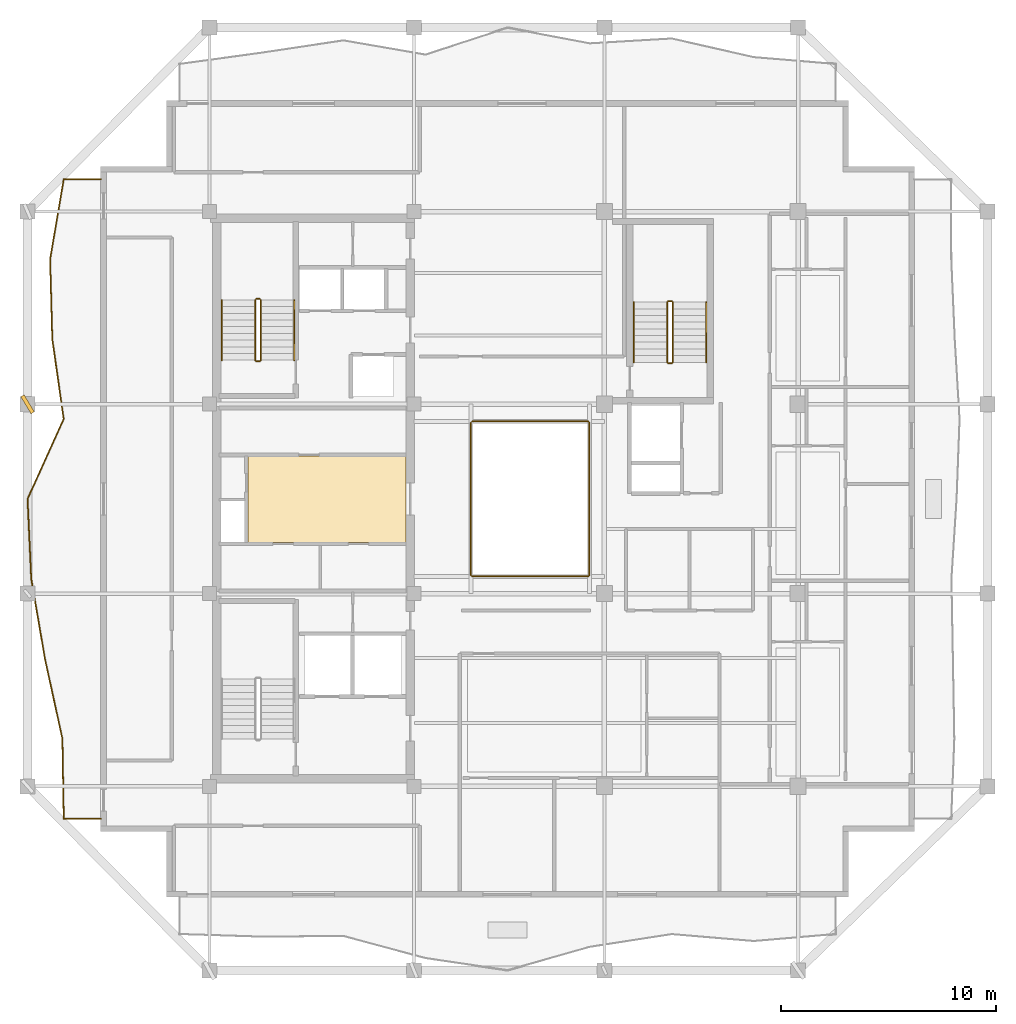
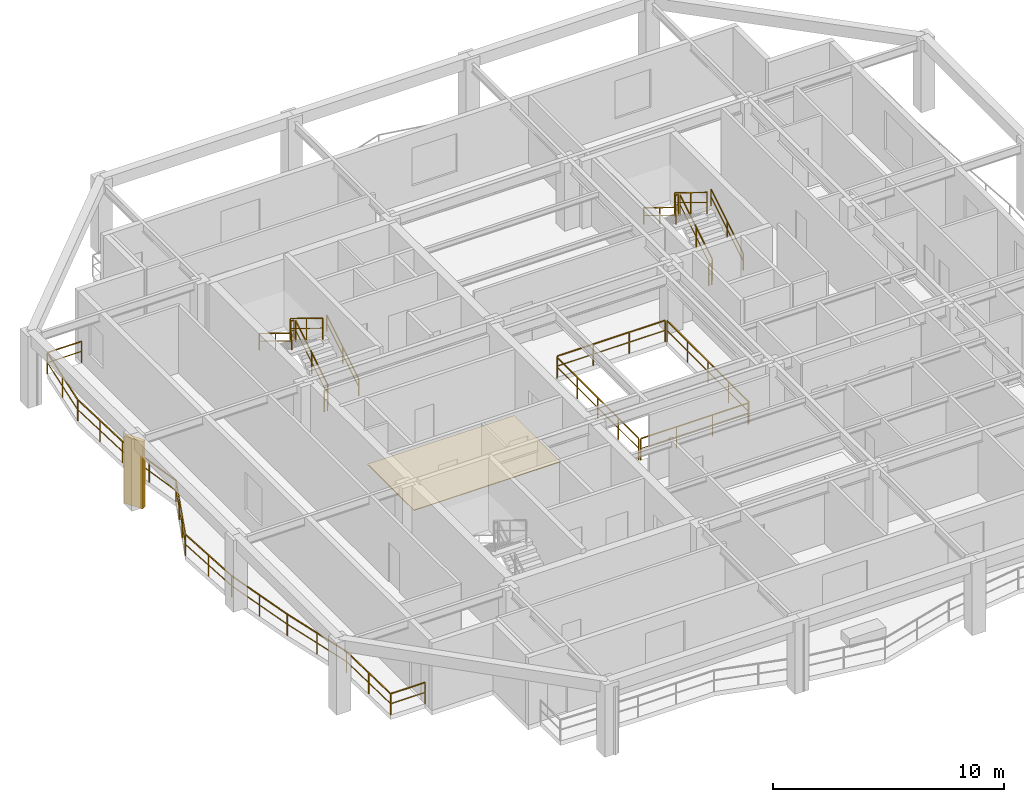
# One storey, part 8 of 10: 17 railings, 1 covering, 1 shading device.
"""IFC4 building model written with IfcOpenShell, lengths in metres."""

from ifc_helpers import new_model, si_unit, direction, frame, origin, origin_2d, place, context, subcontext, project, spatial, polyline, rectangle, outline, extrude, material, layer, layer_set, type_object, element, save


model = new_model("IFC4")

# Units and contexts
model_context = context("Model", 3, precision=1e-05, world=origin(), true_north=direction((0.0, 1.0)))
body_context = subcontext(model_context, "Body", "Model", "MODEL_VIEW")
ifc_project = project(units=[si_unit("LENGTHUNIT", "METRE"), si_unit("AREAUNIT", "SQUARE_METRE"), si_unit("VOLUMEUNIT", "CUBIC_METRE"), si_unit("PLANEANGLEUNIT", "RADIAN"), si_unit("MASSUNIT", "GRAM", prefix="KILO")], contexts=[model_context])

# Site, building, storey
site_placement = place(None, origin())
site = spatial("IfcSite", under=ifc_project, at=site_placement, CompositionType="ELEMENT")
building_placement = place(site_placement, origin())
building = spatial("IfcBuilding", under=site, at=building_placement, Name="Kundavana Baori Tower", CompositionType="ELEMENT")
storey_placement = place(building_placement, frame((0.0, 0.0, 320.10009765625)))
storey = spatial("IfcBuildingStorey", under=building, at=storey_placement, Name="L79", CompositionType="ELEMENT", Elevation=320.10009765625)

# Covering
ifc_material_1 = material(Name="Honed Kota Stone and Terrazzo Flooring", Category="masonry")
ifc_layer = layer(ifc_material_1, 0.0400390625, Name="COV-FLR-TERR-40")
ifc_layer_set = layer_set([ifc_layer], Name="Honed Kota Stone and Terrazzo Flooring")
covering_type = type_object("IfcCoveringType", Name="COV-FLR-TERR-40", PredefinedType="FLOORING", material=ifc_layer_set)
covering_placement = place(storey_placement, origin())
element("IfcCovering", 1, at=covering_placement, inside=storey, type_object=covering_type, Name="L79 Core Lift Lobby Kota Stone Flooring", PredefinedType="FLOORING", context=body_context, shape_type="SweptSolid", body=[
    extrude(outline(polyline([(17.25, 26.580078125), (24.580078125, 26.580078125), (24.580078125, 30.60009765625), (17.25, 30.60009765625), (17.25, 26.580078125)])), origin(), (0.0, 0.0, 1.0), 0.039794921875),
])

# Railings
ifc_material_2 = material(Name="Architectural Patinated Bronze Metalwork")
railing_type_1 = type_object("IfcRailingType", Name="RL-BAL-1150", PredefinedType="BALUSTRADE", material=ifc_material_2)
railing_1_placement = place(storey_placement, frame((10.39990234375, 13.75, 0.0)))
element("IfcRailing", 2, at=railing_1_placement, inside=storey, type_object=railing_type_1, Name="L79 Loggia Balcony Balustrade W", PredefinedType="BALUSTRADE", context=body_context, shape_type="SweptSolid", body=[
    extrude(rectangle(XDim=0.048095703125, YDim=0.048095703125, at=origin_2d()), frame((0.0, 0.0, 1.1259765625), z_axis=(-1.0, 0.0, 0.0), x_axis=(0.0, -1.0, 0.0)), (0.0, 0.0, 1.0), 1.719970703125),
    extrude(rectangle(XDim=0.03125, YDim=0.03125, at=origin_2d()), frame((0.0, 0.0, 0.597900390625), z_axis=(-1.0, 0.0, 0.0), x_axis=(0.0, -1.0, 0.0)), (0.0, 0.0, 1.0), 1.719970703125),
    extrude(rectangle(XDim=0.048095703125, YDim=0.048095703125, at=origin_2d()), frame((-1.719970703125, 0.0, 1.1259765625), z_axis=(-0.016966775974, 0.999856053896, 0.0), x_axis=(-0.999856053896, -0.016966775974, 0.0)), (0.0, 0.0, 1.0), 3.71240234375),
    extrude(rectangle(XDim=0.03125, YDim=0.03125, at=origin_2d()), frame((-1.719970703125, 0.0, 0.597900390625), z_axis=(-0.016966775974, 0.999856053896, 0.0), x_axis=(-0.999856053896, -0.016966775974, 0.0)), (0.0, 0.0, 1.0), 3.71240234375),
    extrude(rectangle(XDim=0.048095703125, YDim=0.048095703125, at=origin_2d()), frame((-1.782958984375, 3.7119140625, 1.1259765625), z_axis=(-0.21314700663, 0.977020139795, 0.0), x_axis=(-0.977020139795, -0.21314700663, 0.0)), (0.0, 0.0, 1.0), 3.800537109375),
    extrude(rectangle(XDim=0.03125, YDim=0.03125, at=origin_2d()), frame((-1.782958984375, 3.7119140625, 0.597900390625), z_axis=(-0.21314700663, 0.977020139795, 0.0), x_axis=(-0.977020139795, -0.21314700663, 0.0)), (0.0, 0.0, 1.0), 3.800537109375),
    extrude(rectangle(XDim=0.048095703125, YDim=0.048095703125, at=origin_2d()), frame((-2.593017578125, 7.425048828125, 1.1259765625), z_axis=(-0.168517652123, 0.985698635955, 0.0), x_axis=(-0.985698635955, -0.168517652123, 0.0)), (0.0, 0.0, 1.0), 3.766845703125),
    extrude(rectangle(XDim=0.03125, YDim=0.03125, at=origin_2d()), frame((-2.593017578125, 7.425048828125, 0.597900390625), z_axis=(-0.168517652123, 0.985698635955, 0.0), x_axis=(-0.985698635955, -0.168517652123, 0.0)), (0.0, 0.0, 1.0), 3.766845703125),
    extrude(rectangle(XDim=0.048095703125, YDim=0.048095703125, at=origin_2d()), frame((-3.227783203125, 11.137939453125, 1.1259765625), z_axis=(-0.046316567078, 0.998926811941, 0.0), x_axis=(-0.998926811941, -0.046316567078, 0.0)), (0.0, 0.0, 1.0), 3.716064453125),
    extrude(rectangle(XDim=0.03125, YDim=0.03125, at=origin_2d()), frame((-3.227783203125, 11.137939453125, 0.597900390625), z_axis=(-0.046316567078, 0.998926811941, 0.0), x_axis=(-0.998926811941, -0.046316567078, 0.0)), (0.0, 0.0, 1.0), 3.716064453125),
    extrude(rectangle(XDim=0.048095703125, YDim=0.048095703125, at=origin_2d()), frame((-3.39990234375, 14.85009765625, 1.1259765625), z_axis=(0.412118122763, 0.911130425839, 0.0), x_axis=(-0.911130425839, 0.412118122763, 0.0)), (0.0, 0.0, 1.0), 4.073974609375),
    extrude(rectangle(XDim=0.03125, YDim=0.03125, at=origin_2d()), frame((-3.39990234375, 14.85009765625, 0.597900390625), z_axis=(0.412118122763, 0.911130425839, 0.0), x_axis=(-0.911130425839, 0.412118122763, 0.0)), (0.0, 0.0, 1.0), 4.073974609375),
    extrude(rectangle(XDim=0.048095703125, YDim=0.048095703125, at=origin_2d()), frame((-1.720947265625, 18.56201171875, 1.1259765625), z_axis=(-0.141576274751, 0.989927350076, 0.0), x_axis=(-0.989927350076, -0.141576274751, 0.0)), (0.0, 0.0, 1.0), 3.750732421875),
    extrude(rectangle(XDim=0.03125, YDim=0.03125, at=origin_2d()), frame((-1.720947265625, 18.56201171875, 0.597900390625), z_axis=(-0.141576274751, 0.989927350076, 0.0), x_axis=(-0.989927350076, -0.141576274751, 0.0)), (0.0, 0.0, 1.0), 3.750732421875),
    extrude(rectangle(XDim=0.048095703125, YDim=0.048095703125, at=origin_2d()), frame((-2.251953125, 22.27490234375, 1.1259765625), z_axis=(-0.027144967624, 0.999631507473, 0.0), x_axis=(-0.999631507473, -0.027144967624, 0.0)), (0.0, 0.0, 1.0), 3.714599609375),
    extrude(rectangle(XDim=0.03125, YDim=0.03125, at=origin_2d()), frame((-2.251953125, 22.27490234375, 0.597900390625), z_axis=(-0.027144967624, 0.999631507473, 0.0), x_axis=(-0.999631507473, -0.027144967624, 0.0)), (0.0, 0.0, 1.0), 3.714599609375),
    extrude(rectangle(XDim=0.048095703125, YDim=0.048095703125, at=origin_2d()), frame((-2.352783203125, 25.988037109375, 1.1259765625), z_axis=(0.168056749482, 0.985777322195, 0.0), x_axis=(-0.985777322195, 0.168056749482, 0.0)), (0.0, 0.0, 1.0), 3.765380859375),
    extrude(rectangle(XDim=0.03125, YDim=0.03125, at=origin_2d()), frame((-2.352783203125, 25.988037109375, 0.597900390625), z_axis=(0.168056749482, 0.985777322195, 0.0), x_axis=(-0.985777322195, 0.168056749482, 0.0)), (0.0, 0.0, 1.0), 3.765380859375),
    extrude(rectangle(XDim=0.048095703125, YDim=0.048095703125, at=origin_2d()), frame((-1.719970703125, 29.699951171875, 1.1259765625), z_axis=(1.0, 0.0, 0.0), x_axis=(0.0, 1.0, 0.0)), (0.0, 0.0, 1.0), 1.719970703125),
    extrude(rectangle(XDim=0.03125, YDim=0.03125, at=origin_2d()), frame((-1.719970703125, 29.699951171875, 0.597900390625), z_axis=(1.0, 0.0, 0.0), x_axis=(0.0, 1.0, 0.0)), (0.0, 0.0, 1.0), 1.719970703125),
    extrude(rectangle(XDim=0.0419921875, YDim=0.0419921875, at=origin_2d()), origin(), (0.0, 0.0, 1.0), 1.101806640625),
    extrude(rectangle(XDim=0.0419921875, YDim=0.0419921875, at=origin_2d()), frame((-1.719970703125, 0.0, 0.0)), (0.0, 0.0, 1.0), 1.101806640625),
    extrude(rectangle(XDim=0.0419921875, YDim=0.0419921875, at=origin_2d()), frame((-1.75146484375, 1.85595703125, 0.0)), (0.0, 0.0, 1.0), 1.101806640625),
    extrude(rectangle(XDim=0.0419921875, YDim=0.0419921875, at=origin_2d()), frame((-1.782958984375, 3.7119140625, 0.0)), (0.0, 0.0, 1.0), 1.101806640625),
    extrude(rectangle(XDim=0.0419921875, YDim=0.0419921875, at=origin_2d()), frame((-2.18798828125, 5.568359375, 0.0)), (0.0, 0.0, 1.0), 1.101806640625),
    extrude(rectangle(XDim=0.0419921875, YDim=0.0419921875, at=origin_2d()), frame((-2.593017578125, 7.425048828125, 0.0)), (0.0, 0.0, 1.0), 1.101806640625),
    extrude(rectangle(XDim=0.0419921875, YDim=0.0419921875, at=origin_2d()), frame((-2.910400390625, 9.281494140625, 0.0)), (0.0, 0.0, 1.0), 1.101806640625),
    extrude(rectangle(XDim=0.0419921875, YDim=0.0419921875, at=origin_2d()), frame((-3.227783203125, 11.137939453125, 0.0)), (0.0, 0.0, 1.0), 1.101806640625),
    extrude(rectangle(XDim=0.0419921875, YDim=0.0419921875, at=origin_2d()), frame((-3.31396484375, 12.994140625, 0.0)), (0.0, 0.0, 1.0), 1.101806640625),
    extrude(rectangle(XDim=0.0419921875, YDim=0.0419921875, at=origin_2d()), frame((-3.39990234375, 14.85009765625, 0.0)), (0.0, 0.0, 1.0), 1.101806640625),
    extrude(rectangle(XDim=0.0419921875, YDim=0.0419921875, at=origin_2d()), frame((-2.84033203125, 16.08740234375, 0.0)), (0.0, 0.0, 1.0), 1.101806640625),
    extrude(rectangle(XDim=0.0419921875, YDim=0.0419921875, at=origin_2d()), frame((-2.280517578125, 17.32470703125, 0.0)), (0.0, 0.0, 1.0), 1.101806640625),
    extrude(rectangle(XDim=0.0419921875, YDim=0.0419921875, at=origin_2d()), frame((-1.720947265625, 18.56201171875, 0.0)), (0.0, 0.0, 1.0), 1.101806640625),
    extrude(rectangle(XDim=0.0419921875, YDim=0.0419921875, at=origin_2d()), frame((-1.986328125, 20.41845703125, 0.0)), (0.0, 0.0, 1.0), 1.101806640625),
    extrude(rectangle(XDim=0.0419921875, YDim=0.0419921875, at=origin_2d()), frame((-2.251953125, 22.27490234375, 0.0)), (0.0, 0.0, 1.0), 1.101806640625),
    extrude(rectangle(XDim=0.0419921875, YDim=0.0419921875, at=origin_2d()), frame((-2.30224609375, 24.13134765625, 0.0)), (0.0, 0.0, 1.0), 1.101806640625),
    extrude(rectangle(XDim=0.0419921875, YDim=0.0419921875, at=origin_2d()), frame((-2.352783203125, 25.988037109375, 0.0)), (0.0, 0.0, 1.0), 1.101806640625),
    extrude(rectangle(XDim=0.0419921875, YDim=0.0419921875, at=origin_2d()), frame((-2.036376953125, 27.843994140625, 0.0)), (0.0, 0.0, 1.0), 1.101806640625),
    extrude(rectangle(XDim=0.0419921875, YDim=0.0419921875, at=origin_2d()), frame((-1.719970703125, 29.699951171875, 0.0)), (0.0, 0.0, 1.0), 1.101806640625),
    extrude(rectangle(XDim=0.0419921875, YDim=0.0419921875, at=origin_2d()), frame((0.0, 29.699951171875, 0.0)), (0.0, 0.0, 1.0), 1.101806640625),
])
ifc_material_3 = material(Name="Architectural Patinated Bronze Metalwork")
railing_type_2 = type_object("IfcRailingType", Name="RL-GRD-1150", PredefinedType="GUARDRAIL", material=ifc_material_3)
railing_2_placement = place(storey_placement, frame((17.840087890625, 35.050048828125, 0.18994140625)))
element("IfcRailing", 3, at=railing_2_placement, inside=storey, type_object=railing_type_2, Name="L79 ST2 stair guard 1", PredefinedType="GUARDRAIL", context=body_context, shape_type="SweptSolid", body=[
    extrude(rectangle(XDim=0.048095703125, YDim=0.048095703125, at=origin_2d()), frame((0.0, 0.0, 1.1259765625), z_axis=(0.0, 0.852609830418, 0.522548061975), x_axis=(-1.0, 0.0, 0.0)), (0.0, 0.0, 1.0), 3.2724609375),
    extrude(rectangle(XDim=0.03125, YDim=0.03125, at=origin_2d()), frame((0.0, 0.0, 0.597900390625), z_axis=(0.0, 0.852609830418, 0.522548061975), x_axis=(-1.0, 0.0, 0.0)), (0.0, 0.0, 1.0), 3.2724609375),
    extrude(rectangle(XDim=0.0419921875, YDim=0.0419921875, at=origin_2d()), origin(), (0.0, 0.0, 1.0), 1.101806640625),
    extrude(rectangle(XDim=0.0419921875, YDim=0.0419921875, at=origin_2d()), frame((0.0, 1.39501953125, 0.85498046875)), (0.0, 0.0, 1.0), 1.101806640625),
    extrude(rectangle(XDim=0.0419921875, YDim=0.0419921875, at=origin_2d()), frame((0.0, 2.7900390625, 1.7099609375)), (0.0, 0.0, 1.0), 1.101806640625),
])
railing_3_placement = place(storey_placement, frame((17.7900390625, 37.889892578125, 1.89990234375)))
element("IfcRailing", 4, at=railing_3_placement, inside=storey, type_object=railing_type_2, Name="L79 ST2 stair guard 2", PredefinedType="GUARDRAIL", context=body_context, shape_type="SweptSolid", body=[
    extrude(rectangle(XDim=0.048095703125, YDim=0.048095703125, at=origin_2d()), frame((0.0, 0.0, 1.1259765625), z_axis=(-1.0, 0.0, 0.0), x_axis=(0.0, -1.0, 0.0)), (0.0, 0.0, 1.0), 0.16015625),
    extrude(rectangle(XDim=0.03125, YDim=0.03125, at=origin_2d()), frame((0.0, 0.0, 0.597900390625), z_axis=(-1.0, 0.0, 0.0), x_axis=(0.0, -1.0, 0.0)), (0.0, 0.0, 1.0), 0.16015625),
    extrude(rectangle(XDim=0.0419921875, YDim=0.0419921875, at=origin_2d()), origin(), (0.0, 0.0, 1.0), 1.101806640625),
    extrude(rectangle(XDim=0.0419921875, YDim=0.0419921875, at=origin_2d()), frame((-0.16015625, 0.0, 0.0)), (0.0, 0.0, 1.0), 1.101806640625),
])
railing_4_placement = place(storey_placement, frame((17.580078125, 37.840087890625, 2.08984375)))
element("IfcRailing", 5, at=railing_4_placement, inside=storey, type_object=railing_type_2, Name="L79 ST2 stair guard 3", PredefinedType="GUARDRAIL", context=body_context, shape_type="SweptSolid", body=[
    extrude(rectangle(XDim=0.048095703125, YDim=0.048095703125, at=origin_2d()), frame((0.0, 0.0, 1.1259765625), z_axis=(0.0, -0.852609830418, 0.522548061975), x_axis=(1.0, 0.0, 0.0)), (0.0, 0.0, 1.0), 3.2724609375),
    extrude(rectangle(XDim=0.03125, YDim=0.03125, at=origin_2d()), frame((0.0, 0.0, 0.597900390625), z_axis=(0.0, -0.852609830418, 0.522548061975), x_axis=(1.0, 0.0, 0.0)), (0.0, 0.0, 1.0), 3.2724609375),
    extrude(rectangle(XDim=0.0419921875, YDim=0.0419921875, at=origin_2d()), origin(), (0.0, 0.0, 1.0), 1.101806640625),
    extrude(rectangle(XDim=0.0419921875, YDim=0.0419921875, at=origin_2d()), frame((0.0, -1.39501953125, 0.85498046875)), (0.0, 0.0, 1.0), 1.101806640625),
    extrude(rectangle(XDim=0.0419921875, YDim=0.0419921875, at=origin_2d()), frame((0.0, -2.7900390625, 1.7099609375)), (0.0, 0.0, 1.0), 1.101806640625),
])
railing_5_placement = place(storey_placement, frame((17.7900390625, 35.0, 0.0)))
element("IfcRailing", 6, at=railing_5_placement, inside=storey, type_object=railing_type_2, Name="L79 ST2 stair guard 4", PredefinedType="GUARDRAIL", context=body_context, shape_type="SweptSolid", body=[
    extrude(rectangle(XDim=0.048095703125, YDim=0.048095703125, at=origin_2d()), frame((0.0, 0.0, 1.1259765625), z_axis=(-1.0, 0.0, 0.0), x_axis=(0.0, -1.0, 0.0)), (0.0, 0.0, 1.0), 0.16015625),
    extrude(rectangle(XDim=0.03125, YDim=0.03125, at=origin_2d()), frame((0.0, 0.0, 0.597900390625), z_axis=(-1.0, 0.0, 0.0), x_axis=(0.0, -1.0, 0.0)), (0.0, 0.0, 1.0), 0.16015625),
    extrude(rectangle(XDim=0.0419921875, YDim=0.0419921875, at=origin_2d()), origin(), (0.0, 0.0, 1.0), 1.101806640625),
    extrude(rectangle(XDim=0.0419921875, YDim=0.0419921875, at=origin_2d()), frame((-0.16015625, 0.0, 0.0)), (0.0, 0.0, 1.0), 1.101806640625),
])
railing_6_placement = place(storey_placement, frame((36.97998046875, 34.949951171875, 0.18994140625)))
element("IfcRailing", 7, at=railing_6_placement, inside=storey, type_object=railing_type_2, Name="L79 ST3 stair guard 1", PredefinedType="GUARDRAIL", context=body_context, shape_type="SweptSolid", body=[
    extrude(rectangle(XDim=0.048095703125, YDim=0.048095703125, at=origin_2d()), frame((0.0, 0.0, 1.1259765625), z_axis=(0.0, 0.852609830418, 0.522548061975), x_axis=(-1.0, 0.0, 0.0)), (0.0, 0.0, 1.0), 3.2724609375),
    extrude(rectangle(XDim=0.03125, YDim=0.03125, at=origin_2d()), frame((0.0, 0.0, 0.597900390625), z_axis=(0.0, 0.852609830418, 0.522548061975), x_axis=(-1.0, 0.0, 0.0)), (0.0, 0.0, 1.0), 3.2724609375),
    extrude(rectangle(XDim=0.0419921875, YDim=0.0419921875, at=origin_2d()), origin(), (0.0, 0.0, 1.0), 1.101806640625),
    extrude(rectangle(XDim=0.0419921875, YDim=0.0419921875, at=origin_2d()), frame((0.0, 1.39501953125, 0.85498046875)), (0.0, 0.0, 1.0), 1.101806640625),
    extrude(rectangle(XDim=0.0419921875, YDim=0.0419921875, at=origin_2d()), frame((0.0, 2.7900390625, 1.7099609375)), (0.0, 0.0, 1.0), 1.101806640625),
])
railing_7_placement = place(storey_placement, frame((36.929931640625, 37.7900390625, 1.89990234375)))
element("IfcRailing", 8, at=railing_7_placement, inside=storey, type_object=railing_type_2, Name="L79 ST3 stair guard 2", PredefinedType="GUARDRAIL", context=body_context, shape_type="SweptSolid", body=[
    extrude(rectangle(XDim=0.048095703125, YDim=0.048095703125, at=origin_2d()), frame((0.0, 0.0, 1.1259765625), z_axis=(-1.0, 0.0, 0.0), x_axis=(0.0, -1.0, 0.0)), (0.0, 0.0, 1.0), 0.159912109375),
    extrude(rectangle(XDim=0.03125, YDim=0.03125, at=origin_2d()), frame((0.0, 0.0, 0.597900390625), z_axis=(-1.0, 0.0, 0.0), x_axis=(0.0, -1.0, 0.0)), (0.0, 0.0, 1.0), 0.159912109375),
    extrude(rectangle(XDim=0.0419921875, YDim=0.0419921875, at=origin_2d()), origin(), (0.0, 0.0, 1.0), 1.101806640625),
    extrude(rectangle(XDim=0.0419921875, YDim=0.0419921875, at=origin_2d()), frame((-0.159912109375, 0.0, 0.0)), (0.0, 0.0, 1.0), 1.101806640625),
])
railing_8_placement = place(storey_placement, frame((36.719970703125, 37.739990234375, 2.08984375)))
element("IfcRailing", 9, at=railing_8_placement, inside=storey, type_object=railing_type_2, Name="L79 ST3 stair guard 3", PredefinedType="GUARDRAIL", context=body_context, shape_type="SweptSolid", body=[
    extrude(rectangle(XDim=0.048095703125, YDim=0.048095703125, at=origin_2d()), frame((0.0, 0.0, 1.1259765625), z_axis=(0.0, -0.852609830418, 0.522548061975), x_axis=(1.0, 0.0, 0.0)), (0.0, 0.0, 1.0), 3.2724609375),
    extrude(rectangle(XDim=0.03125, YDim=0.03125, at=origin_2d()), frame((0.0, 0.0, 0.597900390625), z_axis=(0.0, -0.852609830418, 0.522548061975), x_axis=(1.0, 0.0, 0.0)), (0.0, 0.0, 1.0), 3.2724609375),
    extrude(rectangle(XDim=0.0419921875, YDim=0.0419921875, at=origin_2d()), origin(), (0.0, 0.0, 1.0), 1.101806640625),
    extrude(rectangle(XDim=0.0419921875, YDim=0.0419921875, at=origin_2d()), frame((0.0, -1.39501953125, 0.85498046875)), (0.0, 0.0, 1.0), 1.101806640625),
    extrude(rectangle(XDim=0.0419921875, YDim=0.0419921875, at=origin_2d()), frame((0.0, -2.7900390625, 1.7099609375)), (0.0, 0.0, 1.0), 1.101806640625),
])
railing_9_placement = place(storey_placement, frame((36.929931640625, 34.89990234375, 0.0)))
element("IfcRailing", 10, at=railing_9_placement, inside=storey, type_object=railing_type_2, Name="L79 ST3 stair guard 4", PredefinedType="GUARDRAIL", context=body_context, shape_type="SweptSolid", body=[
    extrude(rectangle(XDim=0.048095703125, YDim=0.048095703125, at=origin_2d()), frame((0.0, 0.0, 1.1259765625), z_axis=(-1.0, 0.0, 0.0), x_axis=(0.0, -1.0, 0.0)), (0.0, 0.0, 1.0), 0.159912109375),
    extrude(rectangle(XDim=0.03125, YDim=0.03125, at=origin_2d()), frame((0.0, 0.0, 0.597900390625), z_axis=(-1.0, 0.0, 0.0), x_axis=(0.0, -1.0, 0.0)), (0.0, 0.0, 1.0), 0.159912109375),
    extrude(rectangle(XDim=0.0419921875, YDim=0.0419921875, at=origin_2d()), origin(), (0.0, 0.0, 1.0), 1.101806640625),
    extrude(rectangle(XDim=0.0419921875, YDim=0.0419921875, at=origin_2d()), frame((-0.159912109375, 0.0, 0.0)), (0.0, 0.0, 1.0), 1.101806640625),
])
railing_10_placement = place(storey_placement, frame((27.659912109375, 25.0, 0.0)))
element("IfcRailing", 11, at=railing_10_placement, inside=storey, type_object=railing_type_2, Name="L79 Atrium Void Perimeter Guardrail S", PredefinedType="GUARDRAIL", context=body_context, shape_type="SweptSolid", body=[
    extrude(rectangle(XDim=0.048095703125, YDim=0.048095703125, at=origin_2d()), frame((0.0, 0.0, 1.1259765625), z_axis=(1.0, 0.0, 0.0), x_axis=(0.0, 1.0, 0.0)), (0.0, 0.0, 1.0), 5.380126953125),
    extrude(rectangle(XDim=0.03125, YDim=0.03125, at=origin_2d()), frame((0.0, 0.0, 0.597900390625), z_axis=(1.0, 0.0, 0.0), x_axis=(0.0, 1.0, 0.0)), (0.0, 0.0, 1.0), 5.380126953125),
    extrude(rectangle(XDim=0.0419921875, YDim=0.0419921875, at=origin_2d()), origin(), (0.0, 0.0, 1.0), 1.101806640625),
    extrude(rectangle(XDim=0.0419921875, YDim=0.0419921875, at=origin_2d()), frame((1.79345703125, 0.0, 0.0)), (0.0, 0.0, 1.0), 1.101806640625),
    extrude(rectangle(XDim=0.0419921875, YDim=0.0419921875, at=origin_2d()), frame((3.586669921875, 0.0, 0.0)), (0.0, 0.0, 1.0), 1.101806640625),
    extrude(rectangle(XDim=0.0419921875, YDim=0.0419921875, at=origin_2d()), frame((5.380126953125, 0.0, 0.0)), (0.0, 0.0, 1.0), 1.101806640625),
])
railing_11_placement = place(storey_placement, frame((33.10009765625, 25.06005859375, 0.0)))
element("IfcRailing", 12, at=railing_11_placement, inside=storey, type_object=railing_type_2, Name="L79 Atrium Void Perimeter Guardrail E", PredefinedType="GUARDRAIL", context=body_context, shape_type="SweptSolid", body=[
    extrude(rectangle(XDim=0.048095703125, YDim=0.048095703125, at=origin_2d()), frame((0.0, 0.0, 1.1259765625), z_axis=(0.0, 1.0, 0.0), x_axis=(-1.0, 0.0, 0.0)), (0.0, 0.0, 1.0), 7.079833984375),
    extrude(rectangle(XDim=0.03125, YDim=0.03125, at=origin_2d()), frame((0.0, 0.0, 0.597900390625), z_axis=(0.0, 1.0, 0.0), x_axis=(-1.0, 0.0, 0.0)), (0.0, 0.0, 1.0), 7.079833984375),
    extrude(rectangle(XDim=0.0419921875, YDim=0.0419921875, at=origin_2d()), origin(), (0.0, 0.0, 1.0), 1.101806640625),
    extrude(rectangle(XDim=0.0419921875, YDim=0.0419921875, at=origin_2d()), frame((0.0, 1.77001953125, 0.0)), (0.0, 0.0, 1.0), 1.101806640625),
    extrude(rectangle(XDim=0.0419921875, YDim=0.0419921875, at=origin_2d()), frame((0.0, 3.5400390625, 0.0)), (0.0, 0.0, 1.0), 1.101806640625),
    extrude(rectangle(XDim=0.0419921875, YDim=0.0419921875, at=origin_2d()), frame((0.0, 5.309814453125, 0.0)), (0.0, 0.0, 1.0), 1.101806640625),
    extrude(rectangle(XDim=0.0419921875, YDim=0.0419921875, at=origin_2d()), frame((0.0, 7.079833984375, 0.0)), (0.0, 0.0, 1.0), 1.101806640625),
])
railing_12_placement = place(storey_placement, frame((33.0400390625, 32.199951171875, 0.0)))
element("IfcRailing", 13, at=railing_12_placement, inside=storey, type_object=railing_type_2, Name="L79 Atrium Void Perimeter Guardrail N", PredefinedType="GUARDRAIL", context=body_context, shape_type="SweptSolid", body=[
    extrude(rectangle(XDim=0.048095703125, YDim=0.048095703125, at=origin_2d()), frame((0.0, 0.0, 1.1259765625), z_axis=(-1.0, 0.0, 0.0), x_axis=(0.0, -1.0, 0.0)), (0.0, 0.0, 1.0), 5.380126953125),
    extrude(rectangle(XDim=0.03125, YDim=0.03125, at=origin_2d()), frame((0.0, 0.0, 0.597900390625), z_axis=(-1.0, 0.0, 0.0), x_axis=(0.0, -1.0, 0.0)), (0.0, 0.0, 1.0), 5.380126953125),
    extrude(rectangle(XDim=0.0419921875, YDim=0.0419921875, at=origin_2d()), origin(), (0.0, 0.0, 1.0), 1.101806640625),
    extrude(rectangle(XDim=0.0419921875, YDim=0.0419921875, at=origin_2d()), frame((-1.79345703125, 0.0, 0.0)), (0.0, 0.0, 1.0), 1.101806640625),
    extrude(rectangle(XDim=0.0419921875, YDim=0.0419921875, at=origin_2d()), frame((-3.586669921875, 0.0, 0.0)), (0.0, 0.0, 1.0), 1.101806640625),
    extrude(rectangle(XDim=0.0419921875, YDim=0.0419921875, at=origin_2d()), frame((-5.380126953125, 0.0, 0.0)), (0.0, 0.0, 1.0), 1.101806640625),
])
railing_13_placement = place(storey_placement, frame((27.60009765625, 32.139892578125, 0.0)))
element("IfcRailing", 14, at=railing_13_placement, inside=storey, type_object=railing_type_2, Name="L79 Atrium Void Perimeter Guardrail W", PredefinedType="GUARDRAIL", context=body_context, shape_type="SweptSolid", body=[
    extrude(rectangle(XDim=0.048095703125, YDim=0.048095703125, at=origin_2d()), frame((0.0, 0.0, 1.1259765625), z_axis=(0.0, -1.0, 0.0), x_axis=(1.0, 0.0, 0.0)), (0.0, 0.0, 1.0), 7.079833984375),
    extrude(rectangle(XDim=0.03125, YDim=0.03125, at=origin_2d()), frame((0.0, 0.0, 0.597900390625), z_axis=(0.0, -1.0, 0.0), x_axis=(1.0, 0.0, 0.0)), (0.0, 0.0, 1.0), 7.079833984375),
    extrude(rectangle(XDim=0.0419921875, YDim=0.0419921875, at=origin_2d()), origin(), (0.0, 0.0, 1.0), 1.101806640625),
    extrude(rectangle(XDim=0.0419921875, YDim=0.0419921875, at=origin_2d()), frame((0.0, -1.77001953125, 0.0)), (0.0, 0.0, 1.0), 1.101806640625),
    extrude(rectangle(XDim=0.0419921875, YDim=0.0419921875, at=origin_2d()), frame((0.0, -3.5400390625, 0.0)), (0.0, 0.0, 1.0), 1.101806640625),
    extrude(rectangle(XDim=0.0419921875, YDim=0.0419921875, at=origin_2d()), frame((0.0, -5.309814453125, 0.0)), (0.0, 0.0, 1.0), 1.101806640625),
    extrude(rectangle(XDim=0.0419921875, YDim=0.0419921875, at=origin_2d()), frame((0.0, -7.079833984375, 0.0)), (0.0, 0.0, 1.0), 1.101806640625),
])
ifc_material_4 = material(Name="Architectural Patinated Bronze Metalwork")
railing_type_3 = type_object("IfcRailingType", Name="RL-HND-920", PredefinedType="HANDRAIL", material=ifc_material_4)
railing_14_placement = place(storey_placement, frame((19.389892578125, 35.050048828125, 0.18994140625)))
element("IfcRailing", 15, at=railing_14_placement, inside=storey, type_object=railing_type_3, Name="L79 ST2 stair handrail 1", PredefinedType="HANDRAIL", context=body_context, shape_type="SweptSolid", body=[
    extrude(rectangle(XDim=0.048095703125, YDim=0.048095703125, at=origin_2d()), frame((0.0, 0.0, 0.8759765625), z_axis=(0.0, 0.852609830418, 0.522548061975), x_axis=(-1.0, 0.0, 0.0)), (0.0, 0.0, 1.0), 3.2724609375),
    extrude(rectangle(XDim=0.03125, YDim=0.03125, at=origin_2d()), frame((0.0, 0.0, 0.468017578125), z_axis=(0.0, 0.852609830418, 0.522548061975), x_axis=(-1.0, 0.0, 0.0)), (0.0, 0.0, 1.0), 3.2724609375),
    extrude(rectangle(XDim=0.0419921875, YDim=0.0419921875, at=origin_2d()), origin(), (0.0, 0.0, 1.0), 0.851806640625),
    extrude(rectangle(XDim=0.0419921875, YDim=0.0419921875, at=origin_2d()), frame((0.0, 1.39501953125, 0.85498046875)), (0.0, 0.0, 1.0), 0.851806640625),
    extrude(rectangle(XDim=0.0419921875, YDim=0.0419921875, at=origin_2d()), frame((0.0, 2.7900390625, 1.7099609375)), (0.0, 0.0, 1.0), 0.851806640625),
])
railing_15_placement = place(storey_placement, frame((16.030029296875, 37.840087890625, 2.08984375)))
element("IfcRailing", 16, at=railing_15_placement, inside=storey, type_object=railing_type_3, Name="L79 ST2 stair handrail 2", PredefinedType="HANDRAIL", context=body_context, shape_type="SweptSolid", body=[
    extrude(rectangle(XDim=0.048095703125, YDim=0.048095703125, at=origin_2d()), frame((0.0, 0.0, 0.8759765625), z_axis=(0.0, -0.852609830418, 0.522548061975), x_axis=(1.0, 0.0, 0.0)), (0.0, 0.0, 1.0), 3.2724609375),
    extrude(rectangle(XDim=0.03125, YDim=0.03125, at=origin_2d()), frame((0.0, 0.0, 0.468017578125), z_axis=(0.0, -0.852609830418, 0.522548061975), x_axis=(1.0, 0.0, 0.0)), (0.0, 0.0, 1.0), 3.2724609375),
    extrude(rectangle(XDim=0.0419921875, YDim=0.0419921875, at=origin_2d()), origin(), (0.0, 0.0, 1.0), 0.851806640625),
    extrude(rectangle(XDim=0.0419921875, YDim=0.0419921875, at=origin_2d()), frame((0.0, -1.39501953125, 0.85498046875)), (0.0, 0.0, 1.0), 0.851806640625),
    extrude(rectangle(XDim=0.0419921875, YDim=0.0419921875, at=origin_2d()), frame((0.0, -2.7900390625, 1.7099609375)), (0.0, 0.0, 1.0), 0.851806640625),
])
railing_16_placement = place(storey_placement, frame((38.530029296875, 34.949951171875, 0.18994140625)))
element("IfcRailing", 17, at=railing_16_placement, inside=storey, type_object=railing_type_3, Name="L79 ST3 stair handrail 1", PredefinedType="HANDRAIL", context=body_context, shape_type="SweptSolid", body=[
    extrude(rectangle(XDim=0.048095703125, YDim=0.048095703125, at=origin_2d()), frame((0.0, 0.0, 0.8759765625), z_axis=(0.0, 0.852609830418, 0.522548061975), x_axis=(-1.0, 0.0, 0.0)), (0.0, 0.0, 1.0), 3.2724609375),
    extrude(rectangle(XDim=0.03125, YDim=0.03125, at=origin_2d()), frame((0.0, 0.0, 0.468017578125), z_axis=(0.0, 0.852609830418, 0.522548061975), x_axis=(-1.0, 0.0, 0.0)), (0.0, 0.0, 1.0), 3.2724609375),
    extrude(rectangle(XDim=0.0419921875, YDim=0.0419921875, at=origin_2d()), origin(), (0.0, 0.0, 1.0), 0.851806640625),
    extrude(rectangle(XDim=0.0419921875, YDim=0.0419921875, at=origin_2d()), frame((0.0, 1.39501953125, 0.85498046875)), (0.0, 0.0, 1.0), 0.851806640625),
    extrude(rectangle(XDim=0.0419921875, YDim=0.0419921875, at=origin_2d()), frame((0.0, 2.7900390625, 1.7099609375)), (0.0, 0.0, 1.0), 0.851806640625),
])
railing_17_placement = place(storey_placement, frame((35.169921875, 37.739990234375, 2.08984375)))
element("IfcRailing", 18, at=railing_17_placement, inside=storey, type_object=railing_type_3, Name="L79 ST3 stair handrail 2", PredefinedType="HANDRAIL", context=body_context, shape_type="SweptSolid", body=[
    extrude(rectangle(XDim=0.048095703125, YDim=0.048095703125, at=origin_2d()), frame((0.0, 0.0, 0.8759765625), z_axis=(0.0, -0.852609830418, 0.522548061975), x_axis=(1.0, 0.0, 0.0)), (0.0, 0.0, 1.0), 3.2724609375),
    extrude(rectangle(XDim=0.03125, YDim=0.03125, at=origin_2d()), frame((0.0, 0.0, 0.468017578125), z_axis=(0.0, -0.852609830418, 0.522548061975), x_axis=(1.0, 0.0, 0.0)), (0.0, 0.0, 1.0), 3.2724609375),
    extrude(rectangle(XDim=0.0419921875, YDim=0.0419921875, at=origin_2d()), origin(), (0.0, 0.0, 1.0), 0.851806640625),
    extrude(rectangle(XDim=0.0419921875, YDim=0.0419921875, at=origin_2d()), frame((0.0, -1.39501953125, 0.85498046875)), (0.0, 0.0, 1.0), 0.851806640625),
    extrude(rectangle(XDim=0.0419921875, YDim=0.0419921875, at=origin_2d()), frame((0.0, -2.7900390625, 1.7099609375)), (0.0, 0.0, 1.0), 0.851806640625),
])

# Shading device
ifc_material_5 = material(Name="Red-Buff Dholpur Sandstone Cladding on Concrete C40/50", Category="masonry")
shading_device_type = type_object("IfcShadingDeviceType", Name="SHD-FIN-920", PredefinedType="JALOUSIE", material=ifc_material_5)
shading_device_placement = place(storey_placement, frame((7.0, 33.0, -0.000244140625), z_axis=(0.0, 0.0, 1.0), x_axis=(0.856447336576, 0.516234403806, 0.0)))
element("IfcShadingDevice", 19, at=shading_device_placement, inside=storey, type_object=shading_device_type, Name="L79 Sweeping Dholpur Sandstone Facade Fin 7", PredefinedType="JALOUSIE", context=body_context, shape_type="SweptSolid", body=[
    extrude(rectangle(XDim=0.179931640625, YDim=0.919921875, at=origin_2d()), origin(), (0.0, 0.0, 1.0), 3.56005859375),
])

save(model, "model.ifc")
